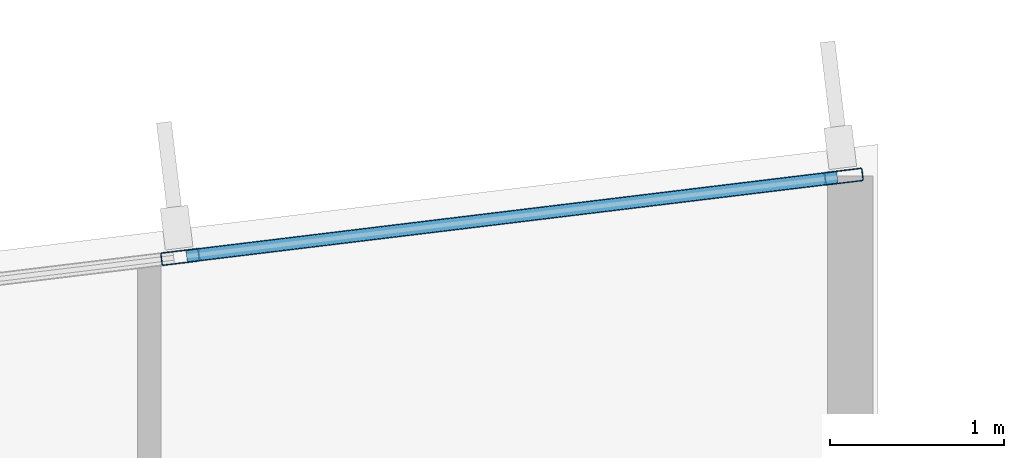
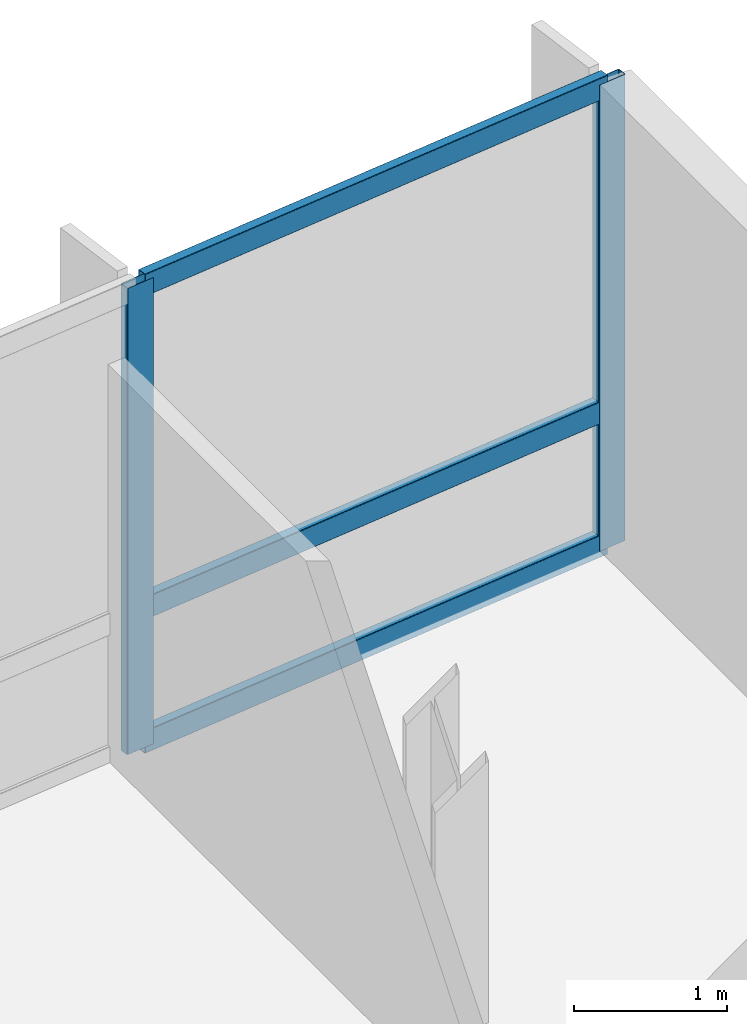
# One storey, part 7 of 17: 5 members, 1 element without a shape of its own.
"""IFC4 building model written with IfcOpenShell, lengths in metres."""

from ifc_helpers import new_model, si_unit, direction, frame, origin, origin_2d, place, context, subcontext, project, spatial, hollow_rectangle, extrude, material, layer, layer_set, material_profile, profile_set, type_object, element, aggregate, save


model = new_model("IFC4")

# Units and contexts
model_context = context("Model", 3, precision=1e-05, world=origin(), true_north=direction((0.0, 1.0)))
body_context = subcontext(model_context, "Body", "Model", "MODEL_VIEW")
ifc_project = project(units=[si_unit("LENGTHUNIT", "METRE"), si_unit("AREAUNIT", "SQUARE_METRE"), si_unit("VOLUMEUNIT", "CUBIC_METRE"), si_unit("PLANEANGLEUNIT", "RADIAN"), si_unit("MASSUNIT", "GRAM", prefix="KILO")], contexts=[model_context])

# Site, building, storey
site_placement = place(None, origin())
site = spatial("IfcSite", under=ifc_project, at=site_placement, CompositionType="ELEMENT")
building_placement = place(site_placement, origin())
building = spatial("IfcBuilding", under=site, at=building_placement, Name="Varnakote Quay Hospital", CompositionType="ELEMENT")
storey_placement = place(building_placement, frame((0.0, 0.0, 134.949951171875)))
storey = spatial("IfcBuildingStorey", under=building, at=storey_placement, Name="L33", CompositionType="ELEMENT", Elevation=134.949951171875)

# Curtain wall, members
ifc_material_1 = material(Name="Anodised aluminium 6063-T6 Bronze", Category="aluminium")
ifc_layer = layer(ifc_material_1, 0.205078125)
ifc_layer_set = layer_set([ifc_layer], Name="Anodised aluminium 6063-T6 Bronze")
curtain_wall_type = type_object("IfcCurtainWallType", Name="CW-SYS-3", PredefinedType="NOTDEFINED", material=ifc_layer_set)
curtain_wall_placement = place(storey_placement, origin())
curtain_wall = element("IfcCurtainWall", 1, at=curtain_wall_placement, inside=storey, type_object=curtain_wall_type, Name="L33 Unitised Bronze Curtain Wall 1", PredefinedType="NOTDEFINED")
ifc_material_2 = material(Name="Anodised aluminium 6063-T6 Bronze", Category="aluminium")
ifc_material_profile_1 = material_profile(ifc_material_2, hollow_rectangle(XDim=0.074951171875, YDim=0.219970703125, WallThickness=0.00439453125, InnerFilletRadius=0.00439453125, OuterFilletRadius=0.009033203125, at=origin_2d()), Name="CW-MULL-220x75")
ifc_profile_set_1 = profile_set([ifc_material_profile_1], Name="Anodised aluminium 6063-T6 Bronze")
member_type_1 = type_object("IfcMemberType", Name="CW-MULL-220x75", PredefinedType="MULLION", material=ifc_profile_set_1)
member_1_placement = place(storey_placement, frame((54.002685546875, 32.914794921875, 0.0), z_axis=(0.0, 0.0, 1.0), x_axis=(0.12032713492, -0.992734295067, 0.0)))
member_1 = element("IfcMember", 2, at=member_1_placement, type_object=member_type_1, Name="-3-L33-1 mullion 1", PredefinedType="MULLION", context=body_context, shape_type="SweptSolid", body=[
    extrude(hollow_rectangle(XDim=0.074951171875, YDim=0.219970703125, WallThickness=0.00439453125, InnerFilletRadius=0.00439453125, OuterFilletRadius=0.009033203125, at=origin_2d()), origin(), (0.0, 0.0, 1.0), 3.7099609375),
])
member_2_placement = place(storey_placement, frame((50.1875, 32.452392578125, 0.0), z_axis=(0.0, 0.0, 1.0), x_axis=(0.12032713492, -0.992734295067, 0.0)))
member_2 = element("IfcMember", 3, at=member_2_placement, type_object=member_type_1, Name="-3-L33-1 mullion 2", PredefinedType="MULLION", context=body_context, shape_type="SweptSolid", body=[
    extrude(hollow_rectangle(XDim=0.074951171875, YDim=0.219970703125, WallThickness=0.00439453125, InnerFilletRadius=0.00439453125, OuterFilletRadius=0.009033203125, at=origin_2d()), origin(), (0.0, 0.0, 1.0), 3.7099609375),
])
ifc_material_3 = material(Name="Anodised aluminium 6063-T6 Bronze", Category="aluminium")
ifc_material_profile_2 = material_profile(ifc_material_3, hollow_rectangle(XDim=0.074951171875, YDim=0.179931640625, WallThickness=0.004150390625, InnerFilletRadius=0.004150390625, OuterFilletRadius=0.00830078125, at=origin_2d()), Name="CW-TRAN-180x75")
ifc_profile_set_2 = profile_set([ifc_material_profile_2], Name="Anodised aluminium 6063-T6 Bronze")
member_type_2 = type_object("IfcMemberType", Name="CW-TRAN-180x75", PredefinedType="USERDEFINED", material=ifc_profile_set_2)
member_3_placement = place(storey_placement, frame((53.965576171875, 32.910400390625, 0.03759765625), z_axis=(-0.992735423717, -0.120317822859, 0.0), x_axis=(0.120317822859, -0.992735423717, 0.0)))
member_3 = element("IfcMember", 4, at=member_3_placement, type_object=member_type_2, Name="-3-L33-1 transom 1.1", ObjectType="TRANSOM", PredefinedType="USERDEFINED", context=body_context, shape_type="SweptSolid", body=[
    extrude(hollow_rectangle(XDim=0.074951171875, YDim=0.179931640625, WallThickness=0.004150390625, InnerFilletRadius=0.004150390625, OuterFilletRadius=0.00830078125, at=origin_2d()), origin(), (0.0, 0.0, 1.0), 3.76806640625),
])
member_4_placement = place(storey_placement, frame((53.965576171875, 32.910400390625, 1.10009765625), z_axis=(-0.992735423717, -0.120317822859, 0.0), x_axis=(0.120317822859, -0.992735423717, 0.0)))
member_4 = element("IfcMember", 5, at=member_4_placement, type_object=member_type_2, Name="-3-L33-1 transom 1.2", ObjectType="TRANSOM", PredefinedType="USERDEFINED", context=body_context, shape_type="SweptSolid", body=[
    extrude(hollow_rectangle(XDim=0.074951171875, YDim=0.179931640625, WallThickness=0.004150390625, InnerFilletRadius=0.004150390625, OuterFilletRadius=0.00830078125, at=origin_2d()), origin(), (0.0, 0.0, 1.0), 3.76806640625),
])
member_5_placement = place(storey_placement, frame((53.965576171875, 32.910400390625, 3.672607421875), z_axis=(-0.992735423717, -0.120317822859, 0.0), x_axis=(0.120317822859, -0.992735423717, 0.0)))
member_5 = element("IfcMember", 6, at=member_5_placement, type_object=member_type_2, Name="-3-L33-1 transom 1.3", ObjectType="TRANSOM", PredefinedType="USERDEFINED", context=body_context, shape_type="SweptSolid", body=[
    extrude(hollow_rectangle(XDim=0.074951171875, YDim=0.179931640625, WallThickness=0.004150390625, InnerFilletRadius=0.004150390625, OuterFilletRadius=0.00830078125, at=origin_2d()), origin(), (0.0, 0.0, 1.0), 3.76806640625),
])
aggregate(curtain_wall, [member_1, member_2, member_3, member_4, member_5])

save(model, "model.ifc")
